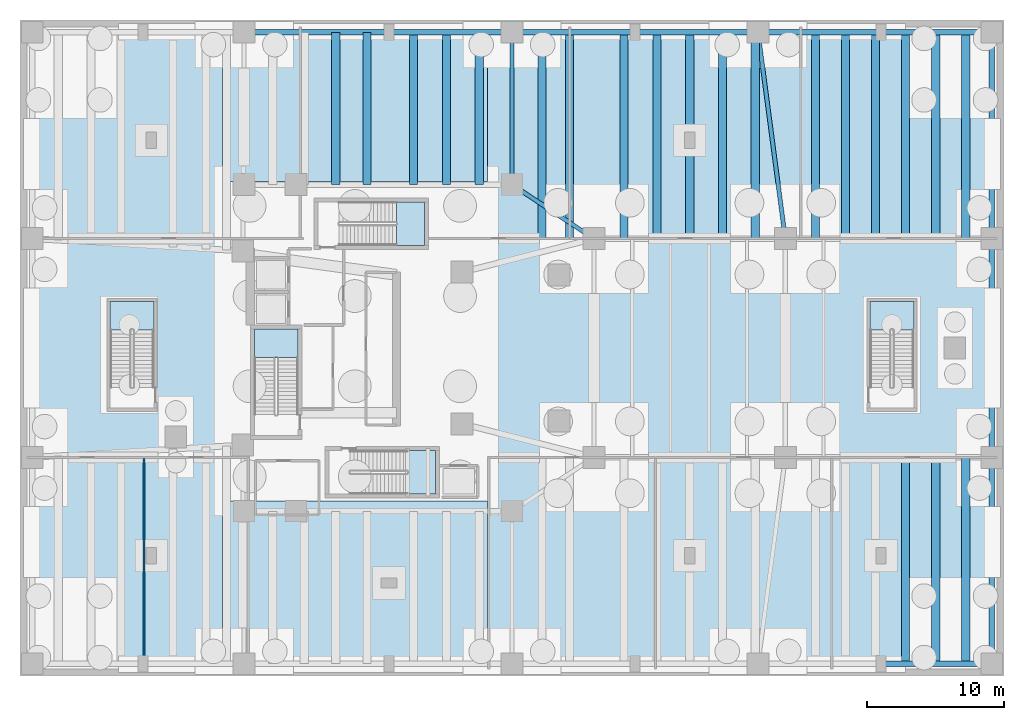
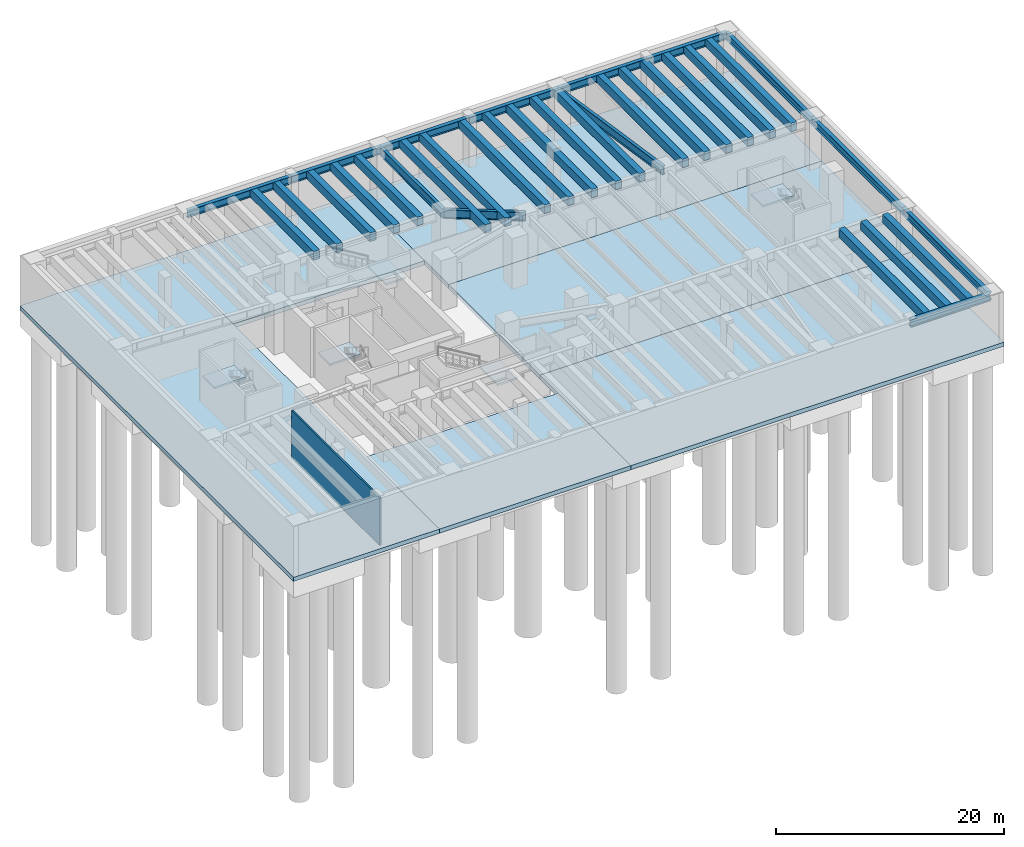
# One storey, part 3 of 10: 34 beams, 11 slabs, 1 wall, 5 elements without a shape of their own.
"""IFC4 building model written with IfcOpenShell, lengths in metres."""

from ifc_helpers import new_model, si_unit, direction, frame, frame_2d, origin, origin_2d, place, context, subcontext, project, spatial, polyline, rectangle, i_section, outline, extrude, material, layer, layer_set, material_profile, profile_set, type_object, element, aggregate, save


model = new_model("IFC4")

# Units and contexts
model_context = context("Model", 3, precision=1e-05, world=origin(), true_north=direction((0.0, 1.0)))
body_context = subcontext(model_context, "Body", "Model", "MODEL_VIEW")
ifc_project = project(units=[si_unit("LENGTHUNIT", "METRE"), si_unit("AREAUNIT", "SQUARE_METRE"), si_unit("VOLUMEUNIT", "CUBIC_METRE"), si_unit("PLANEANGLEUNIT", "RADIAN"), si_unit("MASSUNIT", "GRAM", prefix="KILO"), si_unit("THERMODYNAMICTEMPERATUREUNIT", "KELVIN"), si_unit("POWERUNIT", "WATT")], contexts=[model_context])

# Site, building, storey
site_placement = place(None, origin())
site = spatial("IfcSite", under=ifc_project, at=site_placement, CompositionType="ELEMENT")
building_placement = place(site_placement, origin())
building = spatial("IfcBuilding", under=site, at=building_placement, Name="Skarre Station Tower", CompositionType="ELEMENT")
storey_placement = place(building_placement, frame((0.0, 0.0, -10.199951171875)))
storey = spatial("IfcBuildingStorey", under=building, at=storey_placement, Name="B02", CompositionType="ELEMENT", Elevation=-10.199951171875)

# Beams
ifc_material_1 = material(Name="Concrete C50/60", Category="concrete")
ifc_material_profile_1 = material_profile(ifc_material_1, rectangle(XDim=0.60009765625, YDim=0.89990234375, at=origin_2d()), Name="Concrete C50/60")
ifc_profile_set_1 = profile_set([ifc_material_profile_1], Name="Concrete C50/60")
beam_type_1 = type_object("IfcBeamType", Name="RC Podium Girder 600x900", PredefinedType="BEAM", material=ifc_profile_set_1)
for number, where, z_axis, x_axis, name in (
    (1, (23.10009765625, 35.949951171875, 4.639892578125), (0.0, 1.0, 0.0), (-1.0, 0.0, 0.0), "B02 North Bay Joist 9"),
    (2, (25.39990234375, 35.949951171875, 4.639892578125), (0.0, 1.0, 0.0), (-1.0, 0.0, 0.0), "B02 North Bay Joist 10"),
    (3, (28.800048828125, 35.949951171875, 4.639892578125), (0.0, 1.0, 0.0), (-1.0, 0.0, 0.0), "B02 North Bay Joist 11"),
    (4, (31.199951171875, 35.949951171875, 4.639892578125), (0.0, 1.0, 0.0), (-1.0, 0.0, 0.0), "B02 North Bay Joist 12"),
    (5, (33.60009765625, 35.949951171875, 4.639892578125), (0.0, 1.0, 0.0), (-1.0, 0.0, 0.0), "B02 North Bay Joist 13"),
):
    element("IfcBeam", number, at=place(storey_placement, frame(where, z_axis=z_axis, x_axis=x_axis)), inside=storey, type_object=beam_type_1, Name=name, PredefinedType="BEAM", context=body_context, shape_type="SweptSolid", body=[
        extrude(rectangle(XDim=0.60009765625, YDim=0.89990234375, at=origin_2d()), origin(), (0.0, 0.0, 1.0), 11.150146484375),
    ])
for number, where, z_axis, x_axis, name in (
    (6, (38.199951171875, 32.0, 4.639892578125), (0.0, 1.0, 0.0), (-1.0, 0.0, 0.0), "B02 North Bay Joist 14"),
    (7, (40.199951171875, 32.0, 4.639892578125), (0.0, 1.0, 0.0), (-1.0, 0.0, 0.0), "B02 North Bay Joist 15"),
    (8, (44.199951171875, 32.0, 4.639892578125), (0.0, 1.0, 0.0), (-1.0, 0.0, 0.0), "B02 North Bay Joist 16"),
    (9, (46.60009765625, 32.0, 4.639892578125), (0.0, 1.0, 0.0), (-1.0, 0.0, 0.0), "B02 North Bay Joist 17"),
    (10, (49.0, 32.0, 4.639892578125), (0.0, 1.0, 0.0), (-1.0, 0.0, 0.0), "B02 North Bay Joist 18"),
    (11, (51.39990234375, 32.0, 4.639892578125), (0.0, 1.0, 0.0), (-1.0, 0.0, 0.0), "B02 North Bay Joist 19"),
    (12, (53.800048828125, 32.0, 4.639892578125), (0.0, 1.0, 0.0), (-1.0, 0.0, 0.0), "B02 North Bay Joist 20"),
    (13, (58.199951171875, 32.0, 4.639892578125), (0.0, 1.0, 0.0), (-1.0, 0.0, 0.0), "B02 North Bay Joist 21"),
    (14, (60.39990234375, 32.0, 4.639892578125), (0.0, 1.0, 0.0), (-1.0, 0.0, 0.0), "B02 North Bay Joist 22"),
    (15, (62.60009765625, 32.0, 4.639892578125), (0.0, 1.0, 0.0), (-1.0, 0.0, 0.0), "B02 North Bay Joist 23"),
    (16, (64.800048828125, 0.89990234375, 4.639892578125), (0.0, 1.0, 0.0), (-1.0, 0.0, 0.0), "B02 South Bay Joist 24"),
    (17, (64.800048828125, 32.0, 4.639892578125), (0.0, 1.0, 0.0), (-1.0, 0.0, 0.0), "B02 North Bay Joist 24"),
    (18, (67.0, 0.89990234375, 4.639892578125), (0.0, 1.0, 0.0), (-1.0, 0.0, 0.0), "B02 South Bay Joist 25"),
    (19, (67.0, 32.0, 4.639892578125), (0.0, 1.0, 0.0), (-1.0, 0.0, 0.0), "B02 North Bay Joist 25"),
    (20, (69.199951171875, 0.89990234375, 4.639892578125), (0.0, 1.0, 0.0), (-1.0, 0.0, 0.0), "B02 South Bay Joist 26"),
    (21, (69.199951171875, 32.0, 4.639892578125), (0.0, 1.0, 0.0), (-1.0, 0.0, 0.0), "B02 North Bay Joist 26"),
):
    element("IfcBeam", number, at=place(storey_placement, frame(where, z_axis=z_axis, x_axis=x_axis)), inside=storey, type_object=beam_type_1, Name=name, PredefinedType="BEAM", context=body_context, shape_type="SweptSolid", body=[
        extrude(rectangle(XDim=0.60009765625, YDim=0.89990234375, at=origin_2d()), origin(), (0.0, 0.0, 1.0), 15.10009765625),
    ])
ifc_material_2 = material(Name="Steel ASTM A992 Grade 50", Category="steel")
ifc_material_profile_2 = material_profile(ifc_material_2, i_section(OverallWidth=0.30810546875, OverallDepth=0.927001953125, WebThickness=0.01904296875, FlangeThickness=0.031982421875, at=origin_2d()), Name="Steel ASTM A992 Grade 50")
ifc_profile_set_2 = profile_set([ifc_material_profile_2], Name="Steel ASTM A992 Grade 50")
beam_type_2 = type_object("IfcBeamType", Name="Steel Beam W36X194", PredefinedType="BEAM", material=ifc_profile_set_2)
beam_1_placement = place(storey_placement, frame((42.0, 32.0, 4.6259765625), z_axis=(-0.835251957938, 0.549867408345, 0.0), x_axis=(-0.549867408345, -0.835251957938, 0.0)))
element("IfcBeam", 22, at=beam_1_placement, inside=storey, type_object=beam_type_2, Name="B02 Concourse Transverse Girder NS5B", PredefinedType="BEAM", context=body_context, shape_type="SweptSolid", body=[
    extrude(i_section(OverallWidth=0.30810546875, OverallDepth=0.927001953125, WebThickness=0.01904296875, FlangeThickness=0.031982421875, at=origin_2d()), origin(), (0.0, 0.0, 1.0), 7.183349609375),
])
beam_2_placement = place(storey_placement, frame((36.0, 35.949951171875, 4.6259765625), z_axis=(0.0, 1.0, 0.0), x_axis=(-1.0, 0.0, 0.0)))
element("IfcBeam", 23, at=beam_2_placement, inside=storey, type_object=beam_type_2, Name="B02 Concourse Transverse Girder NS5", PredefinedType="BEAM", context=body_context, shape_type="SweptSolid", body=[
    extrude(i_section(OverallWidth=0.30810546875, OverallDepth=0.927001953125, WebThickness=0.01904296875, FlangeThickness=0.031982421875, at=origin_2d()), origin(), (0.0, 0.0, 1.0), 11.150146484375),
])
beam_3_placement = place(storey_placement, frame((56.0, 32.0, 4.6259765625), z_axis=(-0.131302768537, 0.991342313721, 0.0), x_axis=(-0.991342313721, -0.131302768537, 0.0)))
element("IfcBeam", 24, at=beam_3_placement, inside=storey, type_object=beam_type_2, Name="B02 Concourse Transverse Girder NS8", PredefinedType="BEAM", context=body_context, shape_type="SweptSolid", body=[
    extrude(i_section(OverallWidth=0.30810546875, OverallDepth=0.927001953125, WebThickness=0.01904296875, FlangeThickness=0.031982421875, at=origin_2d()), origin(), (0.0, 0.0, 1.0), 15.23193359375),
])
ifc_material_profile_3 = material_profile(ifc_material_2, i_section(OverallWidth=0.384033203125, OverallDepth=0.785888671875, WebThickness=0.02001953125, FlangeThickness=0.032958984375, at=origin_2d()), Name="Steel ASTM A992 Grade 50")
ifc_profile_set_3 = profile_set([ifc_material_profile_3], Name="Steel ASTM A992 Grade 50")
beam_type_3 = type_object("IfcBeamType", Name="Steel Spandrel W30X211", PredefinedType="SPANDREL", material=ifc_profile_set_3)
beam_4_placement = place(storey_placement, frame((16.39990234375, 47.10009765625, 4.697021484375), z_axis=(1.0, 0.0, 0.0), x_axis=(0.0, 1.0, 0.0)))
element("IfcBeam", 25, at=beam_4_placement, inside=storey, type_object=beam_type_3, Name="B02 North Podium Spandrel 3", PredefinedType="SPANDREL", context=body_context, shape_type="SweptSolid", body=[
    extrude(i_section(OverallWidth=0.384033203125, OverallDepth=0.785888671875, WebThickness=0.02001953125, FlangeThickness=0.032958984375, at=origin_2d()), origin(), (0.0, 0.0, 1.0), 10.60009765625),
])
for number, where, z_axis, x_axis, name in (
    (26, (27.0, 47.10009765625, 4.697021484375), (1.0, 0.0, 0.0), (0.0, 1.0, 0.0), "B02 North Podium Spandrel 4"),
    (27, (36.0, 47.10009765625, 4.697021484375), (1.0, 0.0, 0.0), (0.0, 1.0, 0.0), "B02 North Podium Spandrel 5"),
    (28, (45.0, 47.10009765625, 4.697021484375), (1.0, 0.0, 0.0), (0.0, 1.0, 0.0), "B02 North Podium Spandrel 6"),
    (29, (54.0, 47.10009765625, 4.697021484375), (1.0, 0.0, 0.0), (0.0, 1.0, 0.0), "B02 North Podium Spandrel 7"),
):
    element("IfcBeam", number, at=place(storey_placement, frame(where, z_axis=z_axis, x_axis=x_axis)), inside=storey, type_object=beam_type_3, Name=name, PredefinedType="SPANDREL", context=body_context, shape_type="SweptSolid", body=[
        extrude(i_section(OverallWidth=0.384033203125, OverallDepth=0.785888671875, WebThickness=0.02001953125, FlangeThickness=0.032958984375, at=origin_2d()), origin(), (0.0, 0.0, 1.0), 9.0),
    ])
for number, where, z_axis, x_axis, name in (
    (30, (63.0, 0.89990234375, 4.697021484375), (1.0, 0.0, 0.0), (0.0, 1.0, 0.0), "B02 South Podium Spandrel 8"),
    (31, (63.0, 47.10009765625, 4.697021484375), (1.0, 0.0, 0.0), (0.0, 1.0, 0.0), "B02 North Podium Spandrel 8"),
):
    element("IfcBeam", number, at=place(storey_placement, frame(where, z_axis=z_axis, x_axis=x_axis)), inside=storey, type_object=beam_type_3, Name=name, PredefinedType="SPANDREL", context=body_context, shape_type="SweptSolid", body=[
        extrude(i_section(OverallWidth=0.384033203125, OverallDepth=0.785888671875, WebThickness=0.02001953125, FlangeThickness=0.032958984375, at=origin_2d()), origin(), (0.0, 0.0, 1.0), 8.10009765625),
    ])
beam_5_placement = place(storey_placement, frame((71.10009765625, 0.89990234375, 4.697021484375), z_axis=(0.0, 1.0, 0.0), x_axis=(-1.0, 0.0, 0.0)))
element("IfcBeam", 32, at=beam_5_placement, inside=storey, type_object=beam_type_3, Name="B02 East Podium Spandrel 1", PredefinedType="SPANDREL", context=body_context, shape_type="SweptSolid", body=[
    extrude(i_section(OverallWidth=0.384033203125, OverallDepth=0.785888671875, WebThickness=0.02001953125, FlangeThickness=0.032958984375, at=origin_2d()), origin(), (0.0, 0.0, 1.0), 15.10009765625),
])
beam_6_placement = place(storey_placement, frame((71.10009765625, 16.0, 4.697021484375), z_axis=(0.0, 1.0, 0.0), x_axis=(-1.0, 0.0, 0.0)))
element("IfcBeam", 33, at=beam_6_placement, inside=storey, type_object=beam_type_3, Name="B02 East Podium Spandrel 2", PredefinedType="SPANDREL", context=body_context, shape_type="SweptSolid", body=[
    extrude(i_section(OverallWidth=0.384033203125, OverallDepth=0.785888671875, WebThickness=0.02001953125, FlangeThickness=0.032958984375, at=origin_2d()), origin(), (0.0, 0.0, 1.0), 16.0),
])
beam_7_placement = place(storey_placement, frame((71.10009765625, 32.0, 4.697021484375), z_axis=(0.0, 1.0, 0.0), x_axis=(-1.0, 0.0, 0.0)))
element("IfcBeam", 34, at=beam_7_placement, inside=storey, type_object=beam_type_3, Name="B02 East Podium Spandrel 3", PredefinedType="SPANDREL", context=body_context, shape_type="SweptSolid", body=[
    extrude(i_section(OverallWidth=0.384033203125, OverallDepth=0.785888671875, WebThickness=0.02001953125, FlangeThickness=0.032958984375, at=origin_2d()), origin(), (0.0, 0.0, 1.0), 15.10009765625),
])

# Slabs
ifc_layer_1 = layer(ifc_material_1, 0.449951171875, Name="Concrete C50/60")
ifc_layer_set_1 = layer_set([ifc_layer_1], Name="Concrete C50/60")
slab_type_1 = type_object("IfcSlabType", Name="Basement Structural Base Slab 450", PredefinedType="BASESLAB", material=ifc_layer_set_1)
slab_1_placement = place(storey_placement, frame((0.0, 0.0, -0.449951171875)))
element("IfcSlab", 35, at=slab_1_placement, inside=storey, type_object=slab_type_1, Name="B02 Structural Base Slab Pour BS-B02-W", PredefinedType="BASESLAB", context=body_context, shape_type="SweptSolid", body=[
    extrude(outline(polyline([(0.0, 0.0), (14.800048828125, 0.0), (14.800048828125, 48.0), (0.0, 48.0), (0.0, 0.0)])), origin(), (0.0, 0.0, 1.0), 0.449951171875),
])
slab_2_placement = place(storey_placement, frame((0.0, 0.0, -0.449951171875)))
element("IfcSlab", 36, at=slab_2_placement, inside=storey, type_object=slab_type_1, Name="B02 Structural Base Slab Pour BS-B02-S", PredefinedType="BASESLAB", context=body_context, shape_type="SweptSolid", body=[
    extrude(outline(polyline([(14.800048828125, 0.0), (34.199951171875, 0.0), (34.199951171875, 12.800048828125), (14.800048828125, 12.800048828125), (14.800048828125, 0.0)])), origin(), (0.0, 0.0, 1.0), 0.449951171875),
])
slab_3_placement = place(storey_placement, frame((0.0, 0.0, -0.449951171875)))
element("IfcSlab", 37, at=slab_3_placement, inside=storey, type_object=slab_type_1, Name="B02 Structural Base Slab Pour BS-B02-N", PredefinedType="BASESLAB", context=body_context, shape_type="SweptSolid", body=[
    extrude(outline(polyline([(14.800048828125, 36.199951171875), (34.199951171875, 36.199951171875), (34.199951171875, 48.0), (14.800048828125, 48.0), (14.800048828125, 36.199951171875)])), origin(), (0.0, 0.0, 1.0), 0.449951171875),
])
slab_4_placement = place(storey_placement, frame((0.0, 0.0, -0.449951171875)))
element("IfcSlab", 38, at=slab_4_placement, inside=storey, type_object=slab_type_1, Name="B02 Structural Base Slab Pour BS-B02-ES", PredefinedType="BASESLAB", context=body_context, shape_type="SweptSolid", body=[
    extrude(outline(polyline([(34.199951171875, 0.0), (72.0, 0.0), (72.0, 16.0), (34.199951171875, 16.0), (34.199951171875, 0.0)])), origin(), (0.0, 0.0, 1.0), 0.449951171875),
])
slab_5_placement = place(storey_placement, frame((0.0, 0.0, -0.449951171875)))
element("IfcSlab", 39, at=slab_5_placement, inside=storey, type_object=slab_type_1, Name="B02 Structural Base Slab Pour BS-B02-EM", PredefinedType="BASESLAB", context=body_context, shape_type="SweptSolid", body=[
    extrude(outline(polyline([(34.199951171875, 16.0), (72.0, 16.0), (72.0, 32.0), (34.199951171875, 32.0), (34.199951171875, 16.0)])), origin(), (0.0, 0.0, 1.0), 0.449951171875),
])
slab_6_placement = place(storey_placement, frame((0.0, 0.0, -0.449951171875)))
element("IfcSlab", 40, at=slab_6_placement, inside=storey, type_object=slab_type_1, Name="B02 Structural Base Slab Pour BS-B02-EN", PredefinedType="BASESLAB", context=body_context, shape_type="SweptSolid", body=[
    extrude(outline(polyline([(34.199951171875, 32.0), (72.0, 32.0), (72.0, 48.0), (34.199951171875, 48.0), (34.199951171875, 32.0)])), origin(), (0.0, 0.0, 1.0), 0.449951171875),
])

# Stair, slab
ifc_material_3 = material(Name="Concrete C40/50", Category="concrete")
stair_type_1 = type_object("IfcStairType", Name="Reinforced Concrete Exit Stair ST-1", PredefinedType="HALF_TURN_STAIR", material=ifc_material_3)
stair_1_placement = place(storey_placement, origin())
stair_1 = element("IfcStair", 41, at=stair_1_placement, inside=storey, type_object=stair_type_1, Name="B02 Core Exit Stair ST-1", PredefinedType="HALF_TURN_STAIR")
ifc_layer_2 = layer(ifc_material_3, 0.219970703125, Name="Concrete C40/50")
ifc_layer_set_2 = layer_set([ifc_layer_2], Name="Concrete C40/50")
slab_type_2 = type_object("IfcSlabType", Name="Reinforced Concrete Stair & Ramp Landing 220", PredefinedType="LANDING", material=ifc_layer_set_2)
slab_7_placement = place(storey_placement, frame((0.0, 0.0, 2.5)))
slab_7 = element("IfcSlab", 42, at=slab_7_placement, type_object=slab_type_2, Name="ST-1 landing 1", PredefinedType="LANDING", context=body_context, shape_type="SweptSolid", body=[
    extrude(outline(polyline([(20.35009765625, 23.320068359375), (20.35009765625, 25.39990234375), (17.14990234375, 25.39990234375), (17.14990234375, 23.320068359375), (20.35009765625, 23.320068359375)])), origin(), (0.0, 0.0, 1.0), 0.199951171875),
])
aggregate(stair_1, [slab_7])

stair_type_2 = type_object("IfcStairType", Name="Reinforced Concrete Exit Stair ST-2", PredefinedType="HALF_TURN_STAIR", material=ifc_material_3)
stair_2_placement = place(storey_placement, origin())
stair_2 = element("IfcStair", 43, at=stair_2_placement, inside=storey, type_object=stair_type_2, Name="B02 Core Exit Stair ST-2", PredefinedType="HALF_TURN_STAIR")
slab_8_placement = place(storey_placement, frame((0.0, 0.0, 2.5)))
slab_8 = element("IfcSlab", 44, at=slab_8_placement, type_object=slab_type_2, Name="ST-2 landing 1", PredefinedType="LANDING", context=body_context, shape_type="SweptSolid", body=[
    extrude(outline(polyline([(28.35009765625, 13.300048828125), (30.39990234375, 13.300048828125), (30.39990234375, 16.5), (28.35009765625, 16.5), (28.35009765625, 13.300048828125)])), origin(), (0.0, 0.0, 1.0), 0.199951171875),
])
aggregate(stair_2, [slab_8])

stair_type_3 = type_object("IfcStairType", Name="Reinforced Concrete Exit Stair ST-3", PredefinedType="HALF_TURN_STAIR", material=ifc_material_3)
stair_3_placement = place(storey_placement, origin())
stair_3 = element("IfcStair", 45, at=stair_3_placement, inside=storey, type_object=stair_type_3, Name="B02 Core Exit Stair ST-3", PredefinedType="HALF_TURN_STAIR")
slab_9_placement = place(storey_placement, frame((0.0, 0.0, 2.5)))
slab_9 = element("IfcSlab", 46, at=slab_9_placement, type_object=slab_type_2, Name="ST-3 landing 1", PredefinedType="LANDING", context=body_context, shape_type="SweptSolid", body=[
    extrude(outline(polyline([(27.550048828125, 31.5), (29.60009765625, 31.5), (29.60009765625, 34.699951171875), (27.550048828125, 34.699951171875), (27.550048828125, 31.5)])), origin(), (0.0, 0.0, 1.0), 0.199951171875),
])
aggregate(stair_3, [slab_9])

stair_type_4 = type_object("IfcStairType", Name="Reinforced Concrete Exit Stair ST-4", PredefinedType="HALF_TURN_STAIR", material=ifc_material_3)
stair_4_placement = place(storey_placement, origin())
stair_4 = element("IfcStair", 47, at=stair_4_placement, inside=storey, type_object=stair_type_4, Name="B02 Podium Concourse Exit Stair ST-4", PredefinedType="HALF_TURN_STAIR")
slab_10_placement = place(storey_placement, frame((0.0, 0.0, 2.5)))
slab_10 = element("IfcSlab", 48, at=slab_10_placement, type_object=slab_type_2, Name="ST-4 landing 1", PredefinedType="LANDING", context=body_context, shape_type="SweptSolid", body=[
    extrude(outline(polyline([(9.800048828125, 25.320068359375), (9.800048828125, 27.39990234375), (6.60009765625, 27.39990234375), (6.60009765625, 25.320068359375), (9.800048828125, 25.320068359375)])), origin(), (0.0, 0.0, 1.0), 0.199951171875),
])
aggregate(stair_4, [slab_10])

stair_type_5 = type_object("IfcStairType", Name="Reinforced Concrete Exit Stair ST-5", PredefinedType="HALF_TURN_STAIR", material=ifc_material_3)
stair_5_placement = place(storey_placement, origin())
stair_5 = element("IfcStair", 49, at=stair_5_placement, inside=storey, type_object=stair_type_5, Name="B02 Podium Concourse Exit Stair ST-5", PredefinedType="HALF_TURN_STAIR")
slab_11_placement = place(storey_placement, frame((0.0, 0.0, 2.5)))
slab_11 = element("IfcSlab", 50, at=slab_11_placement, type_object=slab_type_2, Name="ST-5 landing 1", PredefinedType="LANDING", context=body_context, shape_type="SweptSolid", body=[
    extrude(outline(polyline([(65.39990234375, 25.320068359375), (65.39990234375, 27.39990234375), (62.199951171875, 27.39990234375), (62.199951171875, 25.320068359375), (65.39990234375, 25.320068359375)])), origin(), (0.0, 0.0, 1.0), 0.199951171875),
])
aggregate(stair_5, [slab_11])

# Wall
ifc_material_4 = material(Name="Acoustic Steel-Stud Gypsum Partition", Category="steel")
ifc_layer_3 = layer(ifc_material_4, 0.1650390625, Name="Acoustic Steel-Stud Gypsum Partition")
ifc_layer_set_3 = layer_set([ifc_layer_3], Name="Acoustic Steel-Stud Gypsum Partition")
wall_type = type_object("IfcWallType", Name="Suite Demising Acoustic Partition 165", PredefinedType="PARTITIONING", material=ifc_layer_set_3)
wall_placement = place(storey_placement, frame((9.068115234375, 0.4951171875, 0.0), z_axis=(0.0, 0.0, 1.0), x_axis=(0.0, 1.0, 0.0)))
element("IfcWall", 51, at=wall_placement, inside=storey, type_object=wall_type, Name="B02 Interior Partition WL-PT-B02-PDSW-P1", PredefinedType="PARTITIONING", context=body_context, shape_type="SweptSolid", body=[
    extrude(rectangle(XDim=15.414794921875, YDim=0.1650390625, at=frame_2d((7.70751953125, 0.0))), origin(), (0.0, 0.0, 1.0), 5.08984375),
])

save(model, "model.ifc")
